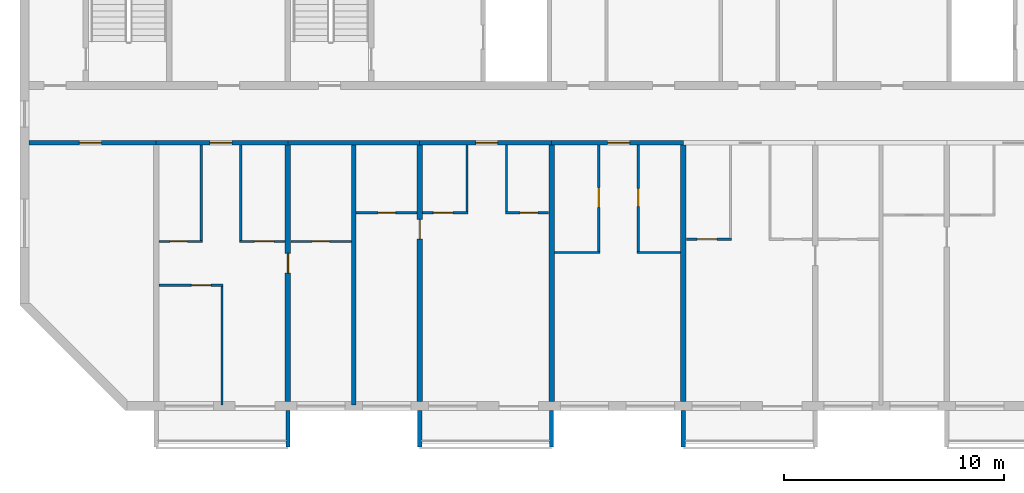
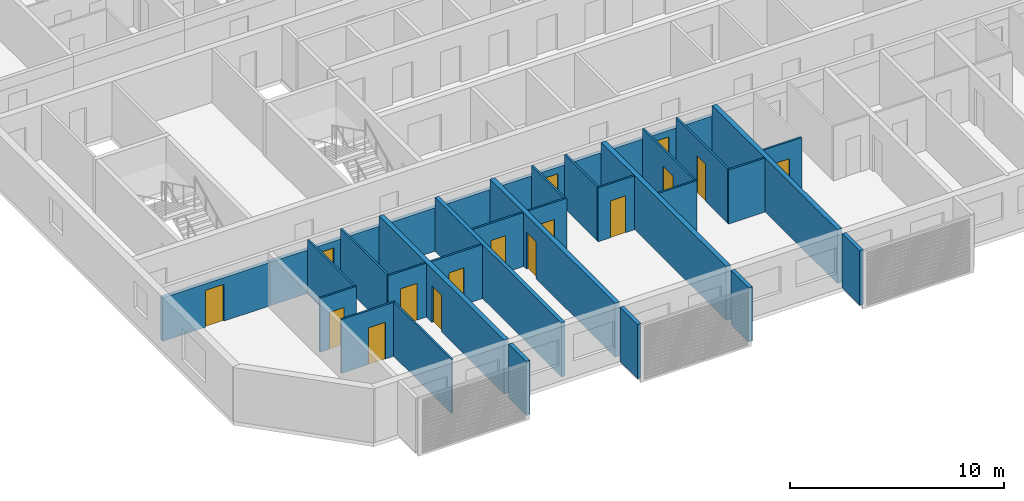
# One storey, part 2 of 27: 31 walls, 16 doors, 16 openings.
"""IFC4 building model written with IfcOpenShell, lengths in metres."""

from ifc_helpers import new_model, si_unit, direction, frame, frame_2d, origin, place, context, subcontext, project, spatial, polyline, rectangle, outline, extrude, source, transform, mapped, material, layer, layer_set, type_object, element, fill, save


model = new_model("IFC4")

# Units and contexts
model_context = context("Model", 3, precision=1e-05, world=origin(), true_north=direction((0.0, 1.0)))
body_context = subcontext(model_context, "Body", "Model", "MODEL_VIEW")
ifc_project = project(units=[si_unit("LENGTHUNIT", "METRE"), si_unit("AREAUNIT", "SQUARE_METRE"), si_unit("VOLUMEUNIT", "CUBIC_METRE"), si_unit("PLANEANGLEUNIT", "RADIAN"), si_unit("MASSUNIT", "GRAM", prefix="KILO")], contexts=[model_context])

# Site, building, storey
site_placement = place(None, origin())
site = spatial("IfcSite", under=ifc_project, at=site_placement, CompositionType="ELEMENT")
building_placement = place(site_placement, origin())
building = spatial("IfcBuilding", under=site, at=building_placement, Name="Poui Terraces", CompositionType="ELEMENT")
storey_placement = place(building_placement, frame((0.0, 0.0, 251.10009765625)))
storey = spatial("IfcBuildingStorey", under=building, at=storey_placement, Name="L70", CompositionType="ELEMENT", Elevation=251.10009765625)

# Wall, opening, door
ifc_material_1 = material(Name="Concrete 50 MPa", Category="concrete")
ifc_layer_1 = layer(ifc_material_1, 0.199951171875)
ifc_layer_set_1 = layer_set([ifc_layer_1], Name="Concrete 50 MPa")
wall_type_1 = type_object("IfcWallType", Name="CORRIDOR WALL 200 50MPa", PredefinedType="SHEAR", material=ifc_layer_set_1)
wall_1_placement = place(storey_placement, frame((18.199951171875, 12.0, 0.0), z_axis=(0.0, 0.0, 1.0), x_axis=(1.0, 0.0, 0.0)))
wall_1 = element("IfcWall", 1, at=wall_1_placement, inside=storey, type_object=wall_type_1, Name="CORRIDOR WALL LINE B BAY 1", PredefinedType="SHEAR", context=body_context, shape_type="SweptSolid", body=[
    extrude(rectangle(XDim=5.800048828125, YDim=0.199951171875, at=frame_2d((2.89990234375, 0.0))), origin(), (0.0, 0.0, 1.0), 2.47998046875),
])
opening_1_placement = place(wall_1_placement, frame((2.300048828125, 0.0, 0.0)))
opening_1 = element("IfcOpeningElement", 2, at=opening_1_placement, cuts=wall_1, Name="Opening D100", PredefinedType="OPENING", context=body_context, shape_type="SweptSolid", body=[
    extrude(rectangle(XDim=1.0, YDim=2.10009765625, at=frame_2d((0.5, 1.050048828125))), frame((0.0, 0.10986328125, 0.0), z_axis=(0.0, -1.0, 0.0), x_axis=(1.0, 0.0, 0.0)), (0.0, 0.0, 1.0), 0.219970703125),
])
ifc_material_2 = material(Name="Solid core timber door", Category="wood")
door_type_1 = type_object("IfcDoorType", Name="ACCESSIBLE INTERNAL DOOR 1000 X 2100", OperationType="NOTDEFINED", PredefinedType="DOOR", material=ifc_material_2)
door_1_placement = place(opening_1_placement, frame((1.0, 0.0, 0.0), z_axis=(0.0, 0.0, 1.0), x_axis=(-1.0, 0.0, 0.0)))
door_1 = element("IfcDoor", 3, at=door_1_placement, inside=storey, type_object=door_type_1, Name="ACCESSIBLE INTERNAL DOOR 061", OperationType="SINGLE_SWING_RIGHT", OverallHeight=2.10009765625, OverallWidth=1.0, PredefinedType="DOOR", context=body_context, shape_type="SweptSolid", body=[
    extrude(rectangle(XDim=1.0, YDim=2.10009765625, at=frame_2d((0.5, 1.050048828125))), frame((0.0, 0.02490234375, 0.0), z_axis=(0.0, -1.0, 0.0), x_axis=(1.0, 0.0, 0.0)), (0.0, 0.0, 1.0), 0.050048828125),
])
fill(opening_1, door_1)

wall_2_placement = place(storey_placement, frame((24.0, 12.0, 0.0), z_axis=(0.0, 0.0, 1.0), x_axis=(1.0, 0.0, 0.0)))
wall_2 = element("IfcWall", 4, at=wall_2_placement, inside=storey, type_object=wall_type_1, Name="CORRIDOR WALL LINE B BAY 2", PredefinedType="SHEAR", context=body_context, shape_type="SweptSolid", body=[
    extrude(rectangle(XDim=6.0, YDim=0.199951171875, at=frame_2d((3.0, 0.0))), origin(), (0.0, 0.0, 1.0), 2.47998046875),
])
opening_2_placement = place(wall_2_placement, frame((2.449951171875, 0.0, 0.0)))
opening_2 = element("IfcOpeningElement", 5, at=opening_2_placement, cuts=wall_2, Name="Opening FD30S", PredefinedType="OPENING", context=body_context, shape_type="SweptSolid", body=[
    extrude(rectangle(XDim=1.0, YDim=2.10009765625, at=frame_2d((0.5, 1.050048828125))), frame((0.0, 0.10986328125, 0.0), z_axis=(0.0, -1.0, 0.0), x_axis=(1.0, 0.0, 0.0)), (0.0, 0.0, 1.0), 0.219970703125),
])
ifc_material_3 = material(Name="Steel fire door", Category="steel")
door_type_2 = type_object("IfcDoorType", Name="FLAT ENTRANCE DOOR 1000 X 2100", OperationType="NOTDEFINED", PredefinedType="DOOR", material=ifc_material_3)
door_2_placement = place(opening_2_placement, frame((1.0, 0.0, 0.0), z_axis=(0.0, 0.0, 1.0), x_axis=(-1.0, 0.0, 0.0)))
door_2 = element("IfcDoor", 6, at=door_2_placement, inside=storey, type_object=door_type_2, Name="FLAT ENTRANCE DOOR 065", OperationType="SINGLE_SWING_RIGHT", OverallHeight=2.10009765625, OverallWidth=1.0, PredefinedType="DOOR", context=body_context, shape_type="SweptSolid", body=[
    extrude(rectangle(XDim=1.0, YDim=2.10009765625, at=frame_2d((0.5, 1.050048828125))), frame((0.0, 0.02490234375, 0.0), z_axis=(0.0, -1.0, 0.0), x_axis=(1.0, 0.0, 0.0)), (0.0, 0.0, 1.0), 0.050048828125),
])
fill(opening_2, door_2)

# Wall
wall_3_placement = place(storey_placement, frame((30.0, 12.0, 0.0), z_axis=(0.0, 0.0, 1.0), x_axis=(1.0, 0.0, 0.0)))
element("IfcWall", 7, at=wall_3_placement, inside=storey, type_object=wall_type_1, Name="CORRIDOR WALL LINE B BAY 3", PredefinedType="SHEAR", context=body_context, shape_type="SweptSolid", body=[
    extrude(rectangle(XDim=6.0, YDim=0.199951171875, at=frame_2d((3.0, 0.0))), origin(), (0.0, 0.0, 1.0), 2.47998046875),
])

# Wall, opening, door
wall_4_placement = place(storey_placement, frame((36.0, 12.0, 0.0), z_axis=(0.0, 0.0, 1.0), x_axis=(1.0, 0.0, 0.0)))
wall_4 = element("IfcWall", 8, at=wall_4_placement, inside=storey, type_object=wall_type_1, Name="CORRIDOR WALL LINE B BAY 4", PredefinedType="SHEAR", context=body_context, shape_type="SweptSolid", body=[
    extrude(rectangle(XDim=6.0, YDim=0.199951171875, at=frame_2d((3.0, 0.0))), origin(), (0.0, 0.0, 1.0), 2.47998046875),
])
opening_3_placement = place(wall_4_placement, frame((2.550048828125, 0.0, 0.0)))
opening_3 = element("IfcOpeningElement", 9, at=opening_3_placement, cuts=wall_4, Name="Opening FD30S", PredefinedType="OPENING", context=body_context, shape_type="SweptSolid", body=[
    extrude(rectangle(XDim=1.0, YDim=2.10009765625, at=frame_2d((0.5, 1.050048828125))), frame((0.0, 0.10986328125, 0.0), z_axis=(0.0, -1.0, 0.0), x_axis=(1.0, 0.0, 0.0)), (0.0, 0.0, 1.0), 0.219970703125),
])
door_3_placement = place(opening_3_placement, frame((1.0, 0.0, 0.0), z_axis=(0.0, 0.0, 1.0), x_axis=(-1.0, 0.0, 0.0)))
door_3 = element("IfcDoor", 10, at=door_3_placement, inside=storey, type_object=door_type_2, Name="FLAT ENTRANCE DOOR 071", OperationType="SINGLE_SWING_LEFT", OverallHeight=2.10009765625, OverallWidth=1.0, PredefinedType="DOOR", context=body_context, shape_type="SweptSolid", body=[
    extrude(rectangle(XDim=1.0, YDim=2.10009765625, at=frame_2d((0.5, 1.050048828125))), frame((0.0, 0.02490234375, 0.0), z_axis=(0.0, -1.0, 0.0), x_axis=(1.0, 0.0, 0.0)), (0.0, 0.0, 1.0), 0.050048828125),
])
fill(opening_3, door_3)

wall_5_placement = place(storey_placement, frame((42.0, 12.0, 0.0), z_axis=(0.0, 0.0, 1.0), x_axis=(1.0, 0.0, 0.0)))
wall_5 = element("IfcWall", 11, at=wall_5_placement, inside=storey, type_object=wall_type_1, Name="CORRIDOR WALL LINE B BAY 5", PredefinedType="SHEAR", context=body_context, shape_type="SweptSolid", body=[
    extrude(rectangle(XDim=6.0, YDim=0.199951171875, at=frame_2d((3.0, 0.0))), origin(), (0.0, 0.0, 1.0), 2.47998046875),
])
opening_4_placement = place(wall_5_placement, frame((2.550048828125, 0.0, 0.0)))
opening_4 = element("IfcOpeningElement", 12, at=opening_4_placement, cuts=wall_5, Name="Opening FD30S", PredefinedType="OPENING", context=body_context, shape_type="SweptSolid", body=[
    extrude(rectangle(XDim=1.0, YDim=2.10009765625, at=frame_2d((0.5, 1.050048828125))), frame((0.0, 0.10986328125, 0.0), z_axis=(0.0, -1.0, 0.0), x_axis=(1.0, 0.0, 0.0)), (0.0, 0.0, 1.0), 0.219970703125),
])
door_4_placement = place(opening_4_placement, frame((1.0, 0.0, 0.0), z_axis=(0.0, 0.0, 1.0), x_axis=(-1.0, 0.0, 0.0)))
door_4 = element("IfcDoor", 13, at=door_4_placement, inside=storey, type_object=door_type_2, Name="FLAT ENTRANCE DOOR 074", OperationType="SINGLE_SWING_LEFT", OverallHeight=2.10009765625, OverallWidth=1.0, PredefinedType="DOOR", context=body_context, shape_type="SweptSolid", body=[
    extrude(rectangle(XDim=1.0, YDim=2.10009765625, at=frame_2d((0.5, 1.050048828125))), frame((0.0, 0.02490234375, 0.0), z_axis=(0.0, -1.0, 0.0), x_axis=(1.0, 0.0, 0.0)), (0.0, 0.0, 1.0), 0.050048828125),
])
fill(opening_4, door_4)

ifc_layer_2 = layer(ifc_material_1, 0.25)
ifc_layer_set_2 = layer_set([ifc_layer_2], Name="Concrete 50 MPa")
wall_type_2 = type_object("IfcWallType", Name="CROSS WALL 250 50MPa", PredefinedType="SHEAR", material=ifc_layer_set_2)
wall_6_placement = place(storey_placement, frame((30.0, 0.199951171875, 0.0), z_axis=(0.0, 0.0, 1.0), x_axis=(0.0, 1.0, 0.0)))
wall_6 = element("IfcWall", 14, at=wall_6_placement, inside=storey, type_object=wall_type_2, Name="CROSS WALL LINE 6 SOUTH", PredefinedType="SHEAR", context=body_context, shape_type="SweptSolid", body=[
    extrude(rectangle(XDim=11.699951171875, YDim=0.25, at=frame_2d((5.85009765625, 0.0))), origin(), (0.0, 0.0, 1.0), 3.079833984375),
])
opening_5_placement = place(wall_6_placement, frame((5.85009765625, 0.0, 0.0)))
opening_5 = element("IfcOpeningElement", 15, at=opening_5_placement, cuts=wall_6, Name="Opening D90", PredefinedType="OPENING", context=body_context, shape_type="SweptSolid", body=[
    extrude(rectangle(XDim=0.89990234375, YDim=2.10009765625, at=frame_2d((0.449951171875, 1.050048828125))), frame((0.0, 0.135009765625, 0.0), z_axis=(0.0, -1.0, 0.0), x_axis=(1.0, 0.0, 0.0)), (0.0, 0.0, 1.0), 0.27001953125),
])
door_type_3 = type_object("IfcDoorType", Name="INTERNAL DOOR 900 X 2100", OperationType="NOTDEFINED", PredefinedType="DOOR", material=ifc_material_2)
door_5_placement = place(opening_5_placement, frame((0.89990234375, 0.0, 0.0), z_axis=(0.0, 0.0, 1.0), x_axis=(-1.0, 0.0, 0.0)))
door_5 = element("IfcDoor", 16, at=door_5_placement, inside=storey, type_object=door_type_3, Name="INTERNAL DOOR 067", OperationType="SINGLE_SWING_LEFT", OverallHeight=2.10009765625, OverallWidth=0.89990234375, PredefinedType="DOOR", context=body_context, shape_type="SweptSolid", body=[
    extrude(rectangle(XDim=0.89990234375, YDim=2.10009765625, at=frame_2d((0.449951171875, 1.050048828125))), frame((0.0, 0.02490234375, 0.0), z_axis=(0.0, -1.0, 0.0), x_axis=(1.0, 0.0, 0.0)), (0.0, 0.0, 1.0), 0.050048828125),
])
fill(opening_5, door_5)

wall_7_placement = place(storey_placement, frame((36.0, 0.199951171875, 0.0), z_axis=(0.0, 0.0, 1.0), x_axis=(0.0, 1.0, 0.0)))
wall_7 = element("IfcWall", 17, at=wall_7_placement, inside=storey, type_object=wall_type_2, Name="CROSS WALL LINE 7 SOUTH", PredefinedType="SHEAR", context=body_context, shape_type="SweptSolid", body=[
    extrude(rectangle(XDim=11.699951171875, YDim=0.25, at=frame_2d((5.85009765625, 0.0))), origin(), (0.0, 0.0, 1.0), 3.079833984375),
])
opening_6_placement = place(wall_7_placement, frame((7.39990234375, 0.0, 0.0)))
opening_6 = element("IfcOpeningElement", 18, at=opening_6_placement, cuts=wall_7, Name="Opening D90", PredefinedType="OPENING", context=body_context, shape_type="SweptSolid", body=[
    extrude(rectangle(XDim=0.89990234375, YDim=2.10009765625, at=frame_2d((0.449951171875, 1.050048828125))), frame((0.0, 0.135009765625, 0.0), z_axis=(0.0, -1.0, 0.0), x_axis=(1.0, 0.0, 0.0)), (0.0, 0.0, 1.0), 0.27001953125),
])
door_6_placement = place(opening_6_placement, origin())
door_6 = element("IfcDoor", 19, at=door_6_placement, inside=storey, type_object=door_type_3, Name="INTERNAL DOOR 069", OperationType="SINGLE_SWING_RIGHT", OverallHeight=2.10009765625, OverallWidth=0.89990234375, PredefinedType="DOOR", context=body_context, shape_type="SweptSolid", body=[
    extrude(rectangle(XDim=0.89990234375, YDim=2.10009765625, at=frame_2d((0.449951171875, 1.050048828125))), frame((0.0, 0.02490234375, 0.0), z_axis=(0.0, -1.0, 0.0), x_axis=(1.0, 0.0, 0.0)), (0.0, 0.0, 1.0), 0.050048828125),
])
fill(opening_6, door_6)

# Walls
for number, where, z_axis, x_axis, name in (
    (20, (42.0, 0.199951171875, 0.0), (0.0, 0.0, 1.0), (0.0, 1.0, 0.0), "CROSS WALL LINE 8 SOUTH"),
    (21, (48.0, 0.199951171875, 0.0), (0.0, 0.0, 1.0), (0.0, 1.0, 0.0), "CROSS WALL LINE 9 SOUTH"),
):
    element("IfcWall", number, at=place(storey_placement, frame(where, z_axis=z_axis, x_axis=x_axis)), inside=storey, type_object=wall_type_2, Name=name, PredefinedType="SHEAR", context=body_context, shape_type="SweptSolid", body=[
        extrude(rectangle(XDim=11.699951171875, YDim=0.25, at=frame_2d((5.85009765625, 0.0))), origin(), (0.0, 0.0, 1.0), 3.079833984375),
    ])

# Wall, opening, door
ifc_material_4 = material(Name="Plasterboard partition")
ifc_layer_3 = layer(ifc_material_4, 0.10009765625)
ifc_layer_set_3 = layer_set([ifc_layer_3], Name="Plasterboard partition")
wall_type_3 = type_object("IfcWallType", Name="FLAT PARTITION 100", PredefinedType="PARTITIONING", material=ifc_layer_set_3)
wall_8_placement = place(storey_placement, frame((24.135009765625, 5.5, 0.0), z_axis=(0.0, 0.0, 1.0), x_axis=(1.0, 0.0, 0.0)))
wall_8 = element("IfcWall", 22, at=wall_8_placement, inside=storey, type_object=wall_type_3, Name="FLAT PARTITION 100", PredefinedType="PARTITIONING", context=body_context, shape_type="SweptSolid", body=[
    extrude(rectangle(XDim=2.9150390625, YDim=0.10009765625, at=frame_2d((1.45751953125, 0.0))), origin(), (0.0, 0.0, 1.0), 3.079833984375),
])
opening_7_placement = place(wall_8_placement, frame((1.465087890625, 0.0, 0.0)))
opening_7 = element("IfcOpeningElement", 23, at=opening_7_placement, cuts=wall_8, Name="Opening D90", PredefinedType="OPENING", context=body_context, shape_type="SweptSolid", body=[
    extrude(rectangle(XDim=0.89990234375, YDim=2.10009765625, at=frame_2d((0.449951171875, 1.050048828125))), frame((0.0, 0.06005859375, 0.0), z_axis=(0.0, -1.0, 0.0), x_axis=(1.0, 0.0, 0.0)), (0.0, 0.0, 1.0), 0.1201171875),
])
door_7_placement = place(opening_7_placement, frame((0.89990234375, 0.0, 0.0), z_axis=(0.0, 0.0, 1.0), x_axis=(-1.0, 0.0, 0.0)))
door_7 = element("IfcDoor", 24, at=door_7_placement, inside=storey, type_object=door_type_3, Name="INTERNAL DOOR 064", OperationType="SINGLE_SWING_LEFT", OverallHeight=2.10009765625, OverallWidth=0.89990234375, PredefinedType="DOOR", context=body_context, shape_type="SweptSolid", body=[
    extrude(rectangle(XDim=0.89990234375, YDim=2.10009765625, at=frame_2d((0.449951171875, 1.050048828125))), frame((0.0, 0.02490234375, 0.0), z_axis=(0.0, -1.0, 0.0), x_axis=(1.0, 0.0, 0.0)), (0.0, 0.0, 1.0), 0.050048828125),
])
fill(opening_7, door_7)

# Walls
wall_9_placement = place(storey_placement, frame((42.135009765625, 7.0, 0.0), z_axis=(0.0, 0.0, 1.0), x_axis=(1.0, 0.0, 0.0)))
element("IfcWall", 25, at=wall_9_placement, inside=storey, type_object=wall_type_3, Name="FLAT PARTITION 100", PredefinedType="PARTITIONING", context=body_context, shape_type="SweptSolid", body=[
    extrude(rectangle(XDim=2.06494140625, YDim=0.10009765625, at=frame_2d((1.032470703125, 0.0))), origin(), (0.0, 0.0, 1.0), 3.079833984375),
])
wall_10_placement = place(storey_placement, frame((45.89990234375, 7.0, 0.0), z_axis=(0.0, 0.0, 1.0), x_axis=(1.0, 0.0, 0.0)))
element("IfcWall", 26, at=wall_10_placement, inside=storey, type_object=wall_type_3, Name="FLAT PARTITION 100", PredefinedType="PARTITIONING", context=body_context, shape_type="SweptSolid", body=[
    extrude(rectangle(XDim=1.965087890625, YDim=0.10009765625, at=frame_2d((0.982421875, 0.0))), origin(), (0.0, 0.0, 1.0), 3.079833984375),
])

# Wall, opening, door
wall_11_placement = place(storey_placement, frame((24.135009765625, 7.5, 0.0), z_axis=(0.0, 0.0, 1.0), x_axis=(1.0, 0.0, 0.0)))
wall_11 = element("IfcWall", 27, at=wall_11_placement, inside=storey, type_object=wall_type_3, Name="FLAT PARTITION 100", PredefinedType="PARTITIONING", context=body_context, shape_type="SweptSolid", body=[
    extrude(rectangle(XDim=1.965087890625, YDim=0.10009765625, at=frame_2d((0.982421875, 0.0))), origin(), (0.0, 0.0, 1.0), 3.079833984375),
])
opening_8_placement = place(wall_11_placement, frame((0.489990234375, 0.0, 0.0)))
opening_8 = element("IfcOpeningElement", 28, at=opening_8_placement, cuts=wall_11, Name="Opening D80", PredefinedType="OPENING", context=body_context, shape_type="SweptSolid", body=[
    extrude(rectangle(XDim=0.800048828125, YDim=2.10009765625, at=frame_2d((0.39990234375, 1.050048828125))), frame((0.0, 0.06005859375, 0.0), z_axis=(0.0, -1.0, 0.0), x_axis=(1.0, 0.0, 0.0)), (0.0, 0.0, 1.0), 0.1201171875),
])
door_type_4 = type_object("IfcDoorType", Name="BATHROOM, LAUNDRY AND STORE DOOR 800 X 2100", OperationType="NOTDEFINED", PredefinedType="DOOR", material=ifc_material_2)
door_8_placement = place(opening_8_placement, origin())
door_8 = element("IfcDoor", 29, at=door_8_placement, inside=storey, type_object=door_type_4, Name="BATHROOM, LAUNDRY AND STORE DOOR 063", OperationType="SINGLE_SWING_RIGHT", OverallHeight=2.10009765625, OverallWidth=0.800048828125, PredefinedType="DOOR", context=body_context, shape_type="SweptSolid", body=[
    extrude(rectangle(XDim=0.800048828125, YDim=2.10009765625, at=frame_2d((0.39990234375, 1.050048828125))), frame((0.0, 0.02490234375, 0.0), z_axis=(0.0, -1.0, 0.0), x_axis=(1.0, 0.0, 0.0)), (0.0, 0.0, 1.0), 0.050048828125),
])
fill(opening_8, door_8)

wall_12_placement = place(storey_placement, frame((27.800048828125, 7.5, 0.0), z_axis=(0.0, 0.0, 1.0), x_axis=(1.0, 0.0, 0.0)))
wall_12 = element("IfcWall", 30, at=wall_12_placement, inside=storey, type_object=wall_type_3, Name="FLAT PARTITION 100", PredefinedType="PARTITIONING", context=body_context, shape_type="SweptSolid", body=[
    extrude(rectangle(XDim=2.06494140625, YDim=0.10009765625, at=frame_2d((1.032470703125, 0.0))), origin(), (0.0, 0.0, 1.0), 3.079833984375),
])
opening_9_placement = place(wall_12_placement, frame((0.675048828125, 0.0, 0.0)))
opening_9 = element("IfcOpeningElement", 31, at=opening_9_placement, cuts=wall_12, Name="Opening D90", PredefinedType="OPENING", context=body_context, shape_type="SweptSolid", body=[
    extrude(rectangle(XDim=0.89990234375, YDim=2.10009765625, at=frame_2d((0.449951171875, 1.050048828125))), frame((0.0, 0.06005859375, 0.0), z_axis=(0.0, -1.0, 0.0), x_axis=(1.0, 0.0, 0.0)), (0.0, 0.0, 1.0), 0.1201171875),
])
door_9_placement = place(opening_9_placement, origin())
door_9 = element("IfcDoor", 32, at=door_9_placement, inside=storey, type_object=door_type_3, Name="INTERNAL DOOR 066", OperationType="SINGLE_SWING_LEFT", OverallHeight=2.10009765625, OverallWidth=0.89990234375, PredefinedType="DOOR", context=body_context, shape_type="SweptSolid", body=[
    extrude(rectangle(XDim=0.89990234375, YDim=2.10009765625, at=frame_2d((0.449951171875, 1.050048828125))), frame((0.0, 0.02490234375, 0.0), z_axis=(0.0, -1.0, 0.0), x_axis=(1.0, 0.0, 0.0)), (0.0, 0.0, 1.0), 0.050048828125),
])
fill(opening_9, door_9)

wall_13_placement = place(storey_placement, frame((30.135009765625, 7.5, 0.0), z_axis=(0.0, 0.0, 1.0), x_axis=(1.0, 0.0, 0.0)))
wall_13 = element("IfcWall", 33, at=wall_13_placement, inside=storey, type_object=wall_type_3, Name="FLAT PARTITION 100", PredefinedType="PARTITIONING", context=body_context, shape_type="SweptSolid", body=[
    extrude(rectangle(XDim=2.764892578125, YDim=0.10009765625, at=frame_2d((1.38232421875, 0.0))), origin(), (0.0, 0.0, 1.0), 3.079833984375),
])
opening_10_placement = place(wall_13_placement, frame((0.965087890625, 0.0, 0.0)))
opening_10 = element("IfcOpeningElement", 34, at=opening_10_placement, cuts=wall_13, Name="Opening D80", PredefinedType="OPENING", context=body_context, shape_type="SweptSolid", body=[
    extrude(rectangle(XDim=0.800048828125, YDim=2.10009765625, at=frame_2d((0.39990234375, 1.050048828125))), frame((0.0, 0.06005859375, 0.0), z_axis=(0.0, -1.0, 0.0), x_axis=(1.0, 0.0, 0.0)), (0.0, 0.0, 1.0), 0.1201171875),
])
door_10_placement = place(opening_10_placement, origin())
door_10 = element("IfcDoor", 35, at=door_10_placement, inside=storey, type_object=door_type_4, Name="BATHROOM, LAUNDRY AND STORE DOOR 062", OperationType="SINGLE_SWING_RIGHT", OverallHeight=2.10009765625, OverallWidth=0.800048828125, PredefinedType="DOOR", context=body_context, shape_type="SweptSolid", body=[
    extrude(rectangle(XDim=0.800048828125, YDim=2.10009765625, at=frame_2d((0.39990234375, 1.050048828125))), frame((0.0, 0.02490234375, 0.0), z_axis=(0.0, -1.0, 0.0), x_axis=(1.0, 0.0, 0.0)), (0.0, 0.0, 1.0), 0.050048828125),
])
fill(opening_10, door_10)

wall_14_placement = place(storey_placement, frame((48.135009765625, 7.60009765625, 0.0), z_axis=(0.0, 0.0, 1.0), x_axis=(1.0, 0.0, 0.0)))
wall_14 = element("IfcWall", 36, at=wall_14_placement, inside=storey, type_object=wall_type_3, Name="FLAT PARTITION 100", PredefinedType="PARTITIONING", context=body_context, shape_type="SweptSolid", body=[
    extrude(rectangle(XDim=2.06494140625, YDim=0.10009765625, at=frame_2d((1.032470703125, 0.0))), origin(), (0.0, 0.0, 1.0), 3.079833984375),
])
opening_11_placement = place(wall_14_placement, frame((0.489990234375, 0.0, 0.0)))
opening_11 = element("IfcOpeningElement", 37, at=opening_11_placement, cuts=wall_14, Name="Opening D90", PredefinedType="OPENING", context=body_context, shape_type="SweptSolid", body=[
    extrude(rectangle(XDim=0.89990234375, YDim=2.10009765625, at=frame_2d((0.449951171875, 1.050048828125))), frame((0.0, 0.06005859375, 0.0), z_axis=(0.0, -1.0, 0.0), x_axis=(1.0, 0.0, 0.0)), (0.0, 0.0, 1.0), 0.1201171875),
])
door_11_placement = place(opening_11_placement, origin())
door_11 = element("IfcDoor", 38, at=door_11_placement, inside=storey, type_object=door_type_3, Name="INTERNAL DOOR 077", OperationType="SINGLE_SWING_RIGHT", OverallHeight=2.10009765625, OverallWidth=0.89990234375, PredefinedType="DOOR", context=body_context, shape_type="SweptSolid", body=[
    extrude(rectangle(XDim=0.89990234375, YDim=2.10009765625, at=frame_2d((0.449951171875, 1.050048828125))), frame((0.0, 0.02490234375, 0.0), z_axis=(0.0, -1.0, 0.0), x_axis=(1.0, 0.0, 0.0)), (0.0, 0.0, 1.0), 0.050048828125),
])
fill(opening_11, door_11)

wall_15_placement = place(storey_placement, frame((33.10009765625, 8.800048828125, 0.0), z_axis=(0.0, 0.0, 1.0), x_axis=(1.0, 0.0, 0.0)))
wall_15 = element("IfcWall", 39, at=wall_15_placement, inside=storey, type_object=wall_type_3, Name="FLAT PARTITION 100", PredefinedType="PARTITIONING", context=body_context, shape_type="SweptSolid", body=[
    extrude(rectangle(XDim=2.764892578125, YDim=0.10009765625, at=frame_2d((1.38232421875, 0.0))), origin(), (0.0, 0.0, 1.0), 3.079833984375),
])
opening_12_placement = place(wall_15_placement, frame((1.0, 0.0, 0.0)))
opening_12 = element("IfcOpeningElement", 40, at=opening_12_placement, cuts=wall_15, Name="Opening D80", PredefinedType="OPENING", context=body_context, shape_type="SweptSolid", body=[
    extrude(rectangle(XDim=0.800048828125, YDim=2.10009765625, at=frame_2d((0.39990234375, 1.050048828125))), frame((0.0, 0.06005859375, 0.0), z_axis=(0.0, -1.0, 0.0), x_axis=(1.0, 0.0, 0.0)), (0.0, 0.0, 1.0), 0.1201171875),
])
door_12_placement = place(opening_12_placement, origin())
door_12 = element("IfcDoor", 41, at=door_12_placement, inside=storey, type_object=door_type_4, Name="BATHROOM, LAUNDRY AND STORE DOOR 068", OperationType="SINGLE_SWING_LEFT", OverallHeight=2.10009765625, OverallWidth=0.800048828125, PredefinedType="DOOR", context=body_context, shape_type="SweptSolid", body=[
    extrude(rectangle(XDim=0.800048828125, YDim=2.10009765625, at=frame_2d((0.39990234375, 1.050048828125))), frame((0.0, 0.02490234375, 0.0), z_axis=(0.0, -1.0, 0.0), x_axis=(1.0, 0.0, 0.0)), (0.0, 0.0, 1.0), 0.050048828125),
])
fill(opening_12, door_12)

wall_16_placement = place(storey_placement, frame((36.135009765625, 8.800048828125, 0.0), z_axis=(0.0, 0.0, 1.0), x_axis=(1.0, 0.0, 0.0)))
wall_16 = element("IfcWall", 42, at=wall_16_placement, inside=storey, type_object=wall_type_3, Name="FLAT PARTITION 100", PredefinedType="PARTITIONING", context=body_context, shape_type="SweptSolid", body=[
    extrude(rectangle(XDim=2.06494140625, YDim=0.10009765625, at=frame_2d((1.032470703125, 0.0))), origin(), (0.0, 0.0, 1.0), 3.079833984375),
])
opening_13_placement = place(wall_16_placement, frame((0.489990234375, 0.0, 0.0)))
opening_13 = element("IfcOpeningElement", 43, at=opening_13_placement, cuts=wall_16, Name="Opening D90", PredefinedType="OPENING", context=body_context, shape_type="SweptSolid", body=[
    extrude(rectangle(XDim=0.89990234375, YDim=2.10009765625, at=frame_2d((0.449951171875, 1.050048828125))), frame((0.0, 0.06005859375, 0.0), z_axis=(0.0, -1.0, 0.0), x_axis=(1.0, 0.0, 0.0)), (0.0, 0.0, 1.0), 0.1201171875),
])
door_13_placement = place(opening_13_placement, origin())
door_13 = element("IfcDoor", 44, at=door_13_placement, inside=storey, type_object=door_type_3, Name="INTERNAL DOOR 070", OperationType="SINGLE_SWING_RIGHT", OverallHeight=2.10009765625, OverallWidth=0.89990234375, PredefinedType="DOOR", context=body_context, shape_type="SweptSolid", body=[
    extrude(rectangle(XDim=0.89990234375, YDim=2.10009765625, at=frame_2d((0.449951171875, 1.050048828125))), frame((0.0, 0.02490234375, 0.0), z_axis=(0.0, -1.0, 0.0), x_axis=(1.0, 0.0, 0.0)), (0.0, 0.0, 1.0), 0.050048828125),
])
fill(opening_13, door_13)

wall_17_placement = place(storey_placement, frame((39.89990234375, 8.800048828125, 0.0), z_axis=(0.0, 0.0, 1.0), x_axis=(1.0, 0.0, 0.0)))
wall_17 = element("IfcWall", 45, at=wall_17_placement, inside=storey, type_object=wall_type_3, Name="FLAT PARTITION 100", PredefinedType="PARTITIONING", context=body_context, shape_type="SweptSolid", body=[
    extrude(rectangle(XDim=1.965087890625, YDim=0.10009765625, at=frame_2d((0.982421875, 0.0))), origin(), (0.0, 0.0, 1.0), 3.079833984375),
])
opening_14_placement = place(wall_17_placement, frame((0.675048828125, 0.0, 0.0)))
opening_14 = element("IfcOpeningElement", 46, at=opening_14_placement, cuts=wall_17, Name="Opening D80", PredefinedType="OPENING", context=body_context, shape_type="SweptSolid", body=[
    extrude(rectangle(XDim=0.800048828125, YDim=2.10009765625, at=frame_2d((0.39990234375, 1.050048828125))), frame((0.0, 0.06005859375, 0.0), z_axis=(0.0, -1.0, 0.0), x_axis=(1.0, 0.0, 0.0)), (0.0, 0.0, 1.0), 0.1201171875),
])
door_14_placement = place(opening_14_placement, origin())
door_14 = element("IfcDoor", 47, at=door_14_placement, inside=storey, type_object=door_type_4, Name="BATHROOM, LAUNDRY AND STORE DOOR 072", OperationType="SINGLE_SWING_LEFT", OverallHeight=2.10009765625, OverallWidth=0.800048828125, PredefinedType="DOOR", context=body_context, shape_type="SweptSolid", body=[
    extrude(rectangle(XDim=0.800048828125, YDim=2.10009765625, at=frame_2d((0.39990234375, 1.050048828125))), frame((0.0, 0.02490234375, 0.0), z_axis=(0.0, -1.0, 0.0), x_axis=(1.0, 0.0, 0.0)), (0.0, 0.0, 1.0), 0.050048828125),
])
fill(opening_14, door_14)

# Walls
wall_18_placement = place(storey_placement, frame((26.050048828125, 7.550048828125, 0.0), z_axis=(0.0, 0.0, 1.0), x_axis=(0.0, 1.0, 0.0)))
element("IfcWall", 48, at=wall_18_placement, inside=storey, type_object=wall_type_3, Name="FLAT PARTITION 100", PredefinedType="PARTITIONING", context=body_context, shape_type="SweptSolid", body=[
    extrude(rectangle(XDim=4.33984375, YDim=0.10009765625, at=frame_2d((2.169921875, 0.0))), origin(), (0.0, 0.0, 1.0), 3.079833984375),
])
wall_19_placement = place(storey_placement, frame((27.0, 0.06005859375, 0.0), z_axis=(0.0, 0.0, 1.0), x_axis=(0.0, 1.0, 0.0)))
element("IfcWall", 49, at=wall_19_placement, inside=storey, type_object=wall_type_3, Name="FLAT PARTITION 100", PredefinedType="PARTITIONING", context=body_context, shape_type="SweptSolid", body=[
    extrude(rectangle(XDim=5.389892578125, YDim=0.10009765625, at=frame_2d((2.69482421875, 0.0))), origin(), (0.0, 0.0, 1.0), 3.079833984375),
])
wall_20_placement = place(storey_placement, frame((27.85009765625, 7.550048828125, 0.0), z_axis=(0.0, 0.0, 1.0), x_axis=(0.0, 1.0, 0.0)))
element("IfcWall", 50, at=wall_20_placement, inside=storey, type_object=wall_type_3, Name="FLAT PARTITION 100", PredefinedType="PARTITIONING", context=body_context, shape_type="SweptSolid", body=[
    extrude(rectangle(XDim=4.33984375, YDim=0.10009765625, at=frame_2d((2.169921875, 0.0))), origin(), (0.0, 0.0, 1.0), 3.079833984375),
])
for number, where, z_axis, x_axis, name in (
    (51, (38.14990234375, 8.85009765625, 0.0), (0.0, 0.0, 1.0), (0.0, 1.0, 0.0), "FLAT PARTITION 100"),
    (52, (39.949951171875, 8.85009765625, 0.0), (0.0, 0.0, 1.0), (0.0, 1.0, 0.0), "FLAT PARTITION 100"),
):
    element("IfcWall", number, at=place(storey_placement, frame(where, z_axis=z_axis, x_axis=x_axis)), inside=storey, type_object=wall_type_3, Name=name, PredefinedType="PARTITIONING", context=body_context, shape_type="SweptSolid", body=[
        extrude(rectangle(XDim=3.039794921875, YDim=0.10009765625, at=frame_2d((1.52001953125, 0.0))), origin(), (0.0, 0.0, 1.0), 3.079833984375),
    ])

# Wall, opening, door
wall_21_placement = place(storey_placement, frame((44.14990234375, 7.050048828125, 0.0), z_axis=(0.0, 0.0, 1.0), x_axis=(0.0, 1.0, 0.0)))
wall_21 = element("IfcWall", 53, at=wall_21_placement, inside=storey, type_object=wall_type_3, Name="FLAT PARTITION 100", PredefinedType="PARTITIONING", context=body_context, shape_type="SweptSolid", body=[
    extrude(rectangle(XDim=4.83984375, YDim=0.10009765625, at=frame_2d((2.419921875, 0.0))), origin(), (0.0, 0.0, 1.0), 3.079833984375),
])
opening_15_placement = place(wall_21_placement, frame((2.0, 0.0, 0.0)))
opening_15 = element("IfcOpeningElement", 54, at=opening_15_placement, cuts=wall_21, Name="Opening D90", PredefinedType="OPENING", context=body_context, shape_type="SweptSolid", body=[
    extrude(rectangle(XDim=0.89990234375, YDim=2.10009765625, at=frame_2d((0.449951171875, 1.050048828125))), frame((0.0, 0.06005859375, 0.0), z_axis=(0.0, -1.0, 0.0), x_axis=(1.0, 0.0, 0.0)), (0.0, 0.0, 1.0), 0.1201171875),
])
door_15_placement = place(opening_15_placement, origin())
door_15 = element("IfcDoor", 55, at=door_15_placement, inside=storey, type_object=door_type_3, Name="INTERNAL DOOR 073", OperationType="SINGLE_SWING_LEFT", OverallHeight=2.10009765625, OverallWidth=0.89990234375, PredefinedType="DOOR", context=body_context, shape_type="SweptSolid", body=[
    extrude(rectangle(XDim=0.89990234375, YDim=2.10009765625, at=frame_2d((0.449951171875, 1.050048828125))), frame((0.0, 0.02490234375, 0.0), z_axis=(0.0, -1.0, 0.0), x_axis=(1.0, 0.0, 0.0)), (0.0, 0.0, 1.0), 0.050048828125),
])
fill(opening_15, door_15)

wall_22_placement = place(storey_placement, frame((45.949951171875, 7.050048828125, 0.0), z_axis=(0.0, 0.0, 1.0), x_axis=(0.0, 1.0, 0.0)))
wall_22 = element("IfcWall", 56, at=wall_22_placement, inside=storey, type_object=wall_type_3, Name="FLAT PARTITION 100", PredefinedType="PARTITIONING", context=body_context, shape_type="SweptSolid", body=[
    extrude(rectangle(XDim=4.83984375, YDim=0.10009765625, at=frame_2d((2.419921875, 0.0))), origin(), (0.0, 0.0, 1.0), 3.079833984375),
])
opening_16_placement = place(wall_22_placement, frame((2.050048828125, 0.0, 0.0)))
opening_16 = element("IfcOpeningElement", 57, at=opening_16_placement, cuts=wall_22, Name="Opening D80", PredefinedType="OPENING", context=body_context, shape_type="SweptSolid", body=[
    extrude(rectangle(XDim=0.800048828125, YDim=2.10009765625, at=frame_2d((0.39990234375, 1.050048828125))), frame((0.0, 0.06005859375, 0.0), z_axis=(0.0, -1.0, 0.0), x_axis=(1.0, 0.0, 0.0)), (0.0, 0.0, 1.0), 0.1201171875),
])
door_16_placement = place(opening_16_placement, frame((0.800048828125, 0.0, 0.0), z_axis=(0.0, 0.0, 1.0), x_axis=(-1.0, 0.0, 0.0)))
door_16 = element("IfcDoor", 58, at=door_16_placement, inside=storey, type_object=door_type_4, Name="BATHROOM, LAUNDRY AND STORE DOOR 075", OperationType="SINGLE_SWING_LEFT", OverallHeight=2.10009765625, OverallWidth=0.800048828125, PredefinedType="DOOR", context=body_context, shape_type="SweptSolid", body=[
    extrude(rectangle(XDim=0.800048828125, YDim=2.10009765625, at=frame_2d((0.39990234375, 1.050048828125))), frame((0.0, 0.02490234375, 0.0), z_axis=(0.0, -1.0, 0.0), x_axis=(1.0, 0.0, 0.0)), (0.0, 0.0, 1.0), 0.050048828125),
])
fill(opening_16, door_16)

# Walls
ifc_material_5 = material(Name="Fire-rated masonry wall", Category="masonry")
ifc_layer_4 = layer(ifc_material_5, 0.199951171875)
ifc_layer_set_4 = layer_set([ifc_layer_4], Name="Fire-rated masonry wall")
wall_type_4 = type_object("IfcWallType", Name="FLAT PARTY WALL 200", PredefinedType="PARTITIONING", material=ifc_layer_set_4)
wall_23_placement = place(storey_placement, frame((33.0, 0.06005859375, 0.0), z_axis=(0.0, 0.0, 1.0), x_axis=(0.0, 1.0, 0.0)))
element("IfcWall", 59, at=wall_23_placement, inside=storey, type_object=wall_type_4, Name="FLAT PARTY WALL 200", PredefinedType="PARTITIONING", context=body_context, shape_type="SweptSolid", body=[
    extrude(rectangle(XDim=11.829833984375, YDim=0.199951171875, at=frame_2d((5.9150390625, 0.0))), origin(), (0.0, 0.0, 1.0), 3.079833984375),
])
ifc_material_6 = material(Name="Precast concrete 40 MPa", Category="concrete")
ifc_layer_5 = layer(ifc_material_6, 0.199951171875)
ifc_layer_set_5 = layer_set([ifc_layer_5], Name="Precast concrete 40 MPa")
wall_type_5 = type_object("IfcWallType", Name="REAR FIN 200", PredefinedType="STANDARD", material=ifc_layer_set_5)
shared_shape = source(origin(), body_context, "Body", "SweptSolid", [
    extrude(outline(polyline([(0.0, 0.0), (0.2001953125, 0.0), (0.2001953125, 1.650146484375), (0.0, 1.650146484375), (0.0, 0.0)])), origin(), (0.0, 0.0, 1.0), 3.099853515625),
])
for number, where, name in (
    (60, (29.89990234375, -1.85009765625, 0.0), "REAR FIN"),
    (61, (35.89990234375, -1.85009765625, 0.0), "REAR FIN"),
    (62, (41.89990234375, -1.85009765625, 0.0), "REAR FIN"),
    (63, (47.89990234375, -1.85009765625, 0.0), "REAR FIN"),
):
    element("IfcWall", number, at=place(storey_placement, frame(where)), inside=storey, type_object=wall_type_5, Name=name, PredefinedType="STANDARD", context=body_context, shape_type="MappedRepresentation", body=[
        mapped(shared_shape, transform((0.0, 0.0, 0.0))),
    ])

save(model, "model.ifc")
